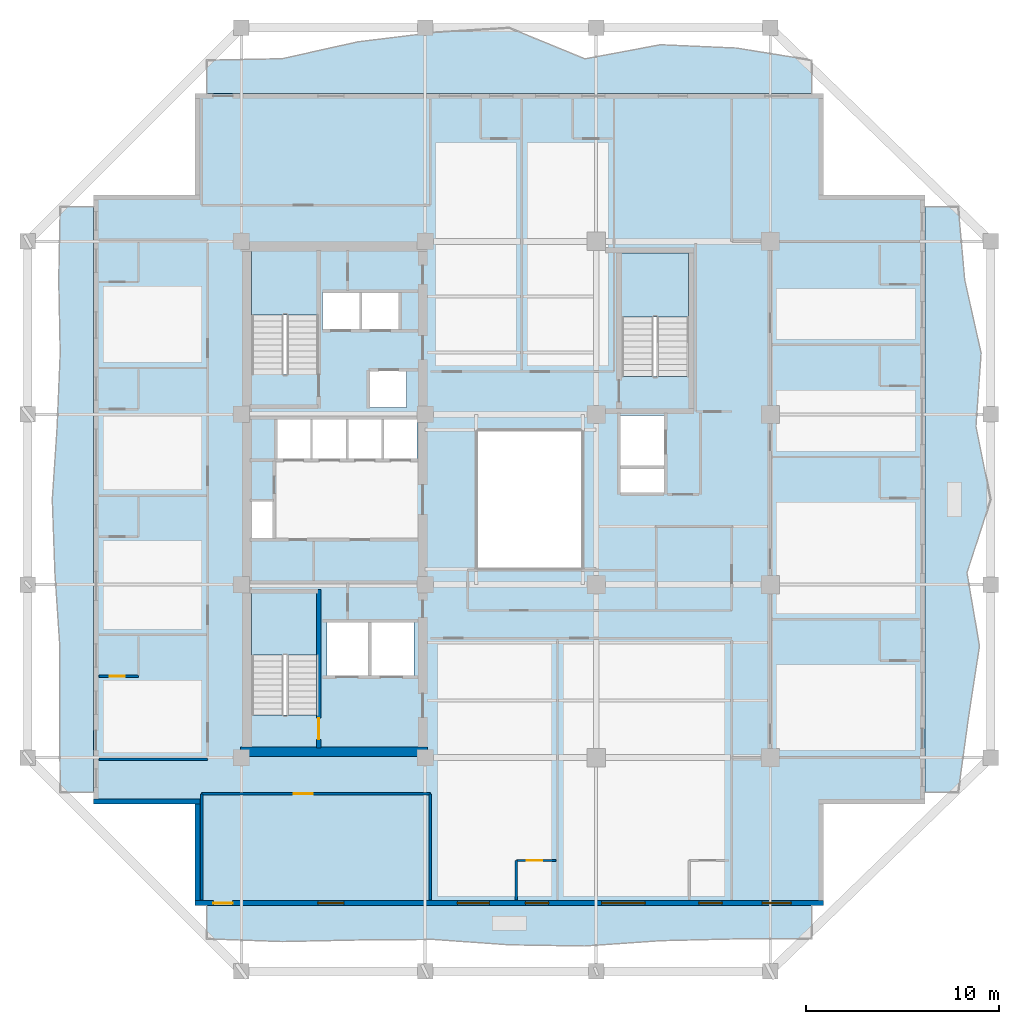
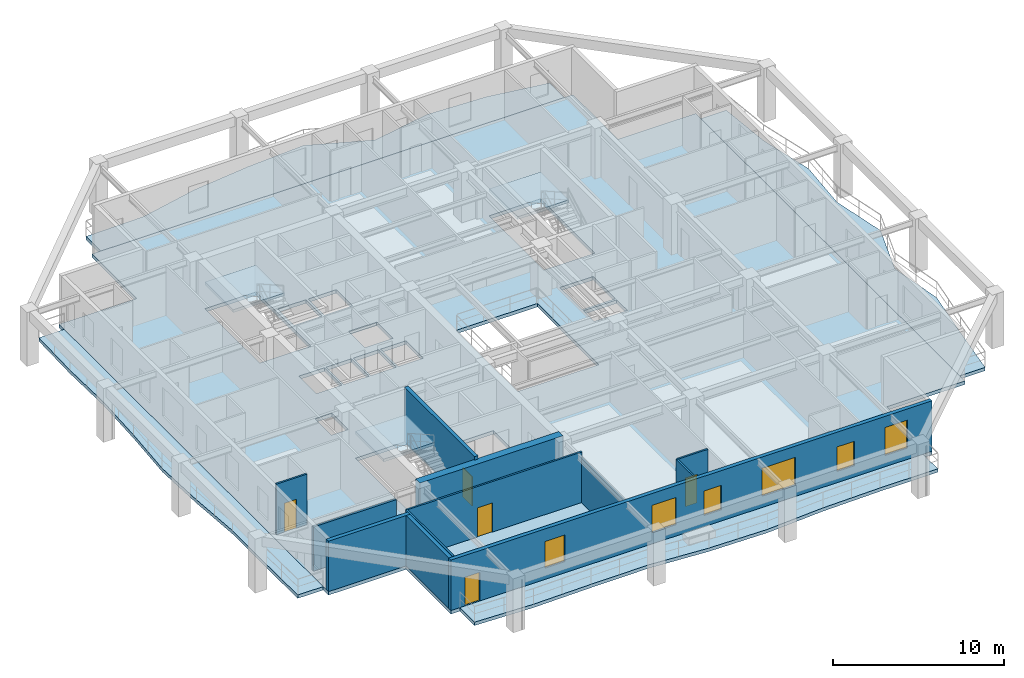
# One storey, part 2 of 13: 12 walls, 8 slabs, 6 windows, 5 doors, 11 openings, 3 elements without a shape of their own.
"""IFC4 building model written with IfcOpenShell, lengths in metres."""

from ifc_helpers import new_model, si_unit, direction, frame, frame_2d, origin, place, context, subcontext, project, spatial, polyline, rectangle, outline, extrude, material, layer, layer_set, type_object, element, fill, aggregate, save


model = new_model("IFC4")

# Units and contexts
model_context = context("Model", 3, precision=1e-05, world=origin(), true_north=direction((0.0, 1.0)))
body_context = subcontext(model_context, "Body", "Model", "MODEL_VIEW")
ifc_project = project(units=[si_unit("LENGTHUNIT", "METRE"), si_unit("AREAUNIT", "SQUARE_METRE"), si_unit("VOLUMEUNIT", "CUBIC_METRE"), si_unit("PLANEANGLEUNIT", "RADIAN"), si_unit("MASSUNIT", "GRAM", prefix="KILO")], contexts=[model_context])

# Site, building, storey
site_placement = place(None, origin())
site = spatial("IfcSite", under=ifc_project, at=site_placement, CompositionType="ELEMENT")
building_placement = place(site_placement, origin())
building = spatial("IfcBuilding", under=site, at=building_placement, Name="Kundavana Baori Tower", CompositionType="ELEMENT")
storey_placement = place(building_placement, frame((0.0, 0.0, 169.449951171875)))
storey = spatial("IfcBuildingStorey", under=building, at=storey_placement, Name="L41", CompositionType="ELEMENT", Elevation=169.449951171875)

# Slab
ifc_material_1 = material(Name="Concrete C40/50", Category="concrete")
ifc_layer_1 = layer(ifc_material_1, 0.25, Name="SLB-FLR-250")
ifc_layer_set_1 = layer_set([ifc_layer_1], Name="Concrete C40/50")
slab_type_1 = type_object("IfcSlabType", Name="SLB-FLR-250", PredefinedType="FLOOR", material=ifc_layer_set_1)
slab_1_placement = place(storey_placement, frame((0.0, 0.0, -0.25)))
element("IfcSlab", 1, at=slab_1_placement, inside=storey, type_object=slab_type_1, Name="L41 Structural Floor Slab", PredefinedType="FLOOR", context=body_context, shape_type="SweptSolid", body=[
    extrude(outline(polyline([(13.050048828125, 7.60009765625), (45.550048828125, 7.60009765625), (45.550048828125, 12.85009765625), (50.800048828125, 12.85009765625), (50.800048828125, 44.35009765625), (45.550048828125, 44.35009765625), (45.550048828125, 49.60009765625), (13.050048828125, 49.60009765625), (13.050048828125, 44.35009765625), (7.800048828125, 44.35009765625), (7.800048828125, 12.85009765625), (13.050048828125, 12.85009765625), (13.050048828125, 7.60009765625)]), holes=[polyline([(19.43994140625, 17.4619140625), (19.43994140625, 23.85009765625), (15.97998046875, 23.85009765625), (15.97998046875, 17.4619140625), (19.43994140625, 17.4619140625)]), polyline([(19.43994140625, 35.06201171875), (19.43994140625, 41.449951171875), (15.97998046875, 41.449951171875), (15.97998046875, 35.06201171875), (19.43994140625, 35.06201171875)]), polyline([(38.580078125, 34.9619140625), (38.580078125, 41.35009765625), (35.1201171875, 41.35009765625), (35.1201171875, 34.9619140625), (38.580078125, 34.9619140625)]), polyline([(17.300048828125, 30.699951171875), (19.02001953125, 30.699951171875), (19.02001953125, 32.75), (17.300048828125, 32.75), (17.300048828125, 30.699951171875)]), polyline([(19.139892578125, 30.699951171875), (20.860107421875, 30.699951171875), (20.860107421875, 32.75), (19.139892578125, 32.75), (19.139892578125, 30.699951171875)]), polyline([(20.97998046875, 30.699951171875), (22.699951171875, 30.699951171875), (22.699951171875, 32.75), (20.97998046875, 32.75), (20.97998046875, 30.699951171875)]), polyline([(22.820068359375, 30.699951171875), (24.5400390625, 30.699951171875), (24.5400390625, 32.75), (22.820068359375, 32.75), (22.820068359375, 30.699951171875)]), polyline([(19.64990234375, 37.39990234375), (21.550048828125, 37.39990234375), (21.550048828125, 39.300048828125), (19.64990234375, 39.300048828125), (19.64990234375, 37.39990234375)]), polyline([(21.699951171875, 37.39990234375), (23.60009765625, 37.39990234375), (23.60009765625, 39.300048828125), (21.699951171875, 39.300048828125), (21.699951171875, 37.39990234375)]), polyline([(22.10009765625, 33.35009765625), (24.0, 33.35009765625), (24.0, 35.25), (22.10009765625, 35.25), (22.10009765625, 33.35009765625)]), polyline([(19.8798828125, 19.5), (22.02001953125, 19.5), (22.02001953125, 22.25), (19.8798828125, 22.25), (19.8798828125, 19.5)]), polyline([(22.179931640625, 19.5), (24.3798828125, 19.5), (24.3798828125, 22.25), (22.179931640625, 22.25), (22.179931640625, 19.5)]), polyline([(35.050048828125, 30.35009765625), (37.300048828125, 30.35009765625), (37.300048828125, 32.949951171875), (35.050048828125, 32.949951171875), (35.050048828125, 30.35009765625)]), polyline([(15.949951171875, 26.60009765625), (17.080078125, 26.60009765625), (17.080078125, 28.5), (15.949951171875, 28.5), (15.949951171875, 26.60009765625)]), polyline([(35.050048828125, 28.949951171875), (37.300048828125, 28.949951171875), (37.300048828125, 30.199951171875), (35.050048828125, 30.199951171875), (35.050048828125, 28.949951171875)]), polyline([(27.60009765625, 25.0), (33.10009765625, 25.0), (33.10009765625, 32.199951171875), (27.60009765625, 32.199951171875), (27.60009765625, 25.0)])]), origin(), (0.0, 0.0, 1.0), 0.25),
])

# Stair, slab
ifc_material_2 = material(Name="Concrete C40/50", Category="concrete")
stair_type = type_object("IfcStairType", Name="STR-DOG-1650", PredefinedType="HALF_TURN_STAIR", material=ifc_material_2)
stair_1_placement = place(storey_placement, origin())
stair_1 = element("IfcStair", 2, at=stair_1_placement, inside=storey, type_object=stair_type, Name="L41 Protected Exit Stair ST1", PredefinedType="HALF_TURN_STAIR")
ifc_material_3 = material(Name="Concrete C40/50", Category="concrete")
ifc_layer_2 = layer(ifc_material_3, 0.199951171875, Name="SLB-LND-200")
ifc_layer_set_2 = layer_set([ifc_layer_2], Name="Concrete C40/50")
slab_type_2 = type_object("IfcSlabType", Name="SLB-LND-200", PredefinedType="LANDING", material=ifc_layer_set_2)
slab_2_placement = place(storey_placement, frame((0.0, 0.0, 1.72509765625)))
slab_2 = element("IfcSlab", 3, at=slab_2_placement, type_object=slab_type_2, Name="ST1 landing 1", PredefinedType="LANDING", context=body_context, shape_type="SweptSolid", body=[
    extrude(outline(polyline([(19.43994140625, 20.550048828125), (19.43994140625, 23.85009765625), (15.97998046875, 23.85009765625), (15.97998046875, 20.550048828125), (19.43994140625, 20.550048828125)])), origin(), (0.0, 0.0, 1.0), 0.199951171875),
])
aggregate(stair_1, [slab_2])

stair_2_placement = place(storey_placement, origin())
stair_2 = element("IfcStair", 4, at=stair_2_placement, inside=storey, type_object=stair_type, Name="L41 Protected Exit Stair ST2", PredefinedType="HALF_TURN_STAIR")
slab_3_placement = place(storey_placement, frame((0.0, 0.0, 1.72509765625)))
slab_3 = element("IfcSlab", 5, at=slab_3_placement, type_object=slab_type_2, Name="ST2 landing 1", PredefinedType="LANDING", context=body_context, shape_type="SweptSolid", body=[
    extrude(outline(polyline([(19.43994140625, 38.14990234375), (19.43994140625, 41.449951171875), (15.97998046875, 41.449951171875), (15.97998046875, 38.14990234375), (19.43994140625, 38.14990234375)])), origin(), (0.0, 0.0, 1.0), 0.199951171875),
])
aggregate(stair_2, [slab_3])

stair_3_placement = place(storey_placement, origin())
stair_3 = element("IfcStair", 6, at=stair_3_placement, inside=storey, type_object=stair_type, Name="L41 Protected Exit Stair ST3", PredefinedType="HALF_TURN_STAIR")
slab_4_placement = place(storey_placement, frame((0.0, 0.0, 1.72509765625)))
slab_4 = element("IfcSlab", 7, at=slab_4_placement, type_object=slab_type_2, Name="ST3 landing 1", PredefinedType="LANDING", context=body_context, shape_type="SweptSolid", body=[
    extrude(outline(polyline([(38.580078125, 38.050048828125), (38.580078125, 41.35009765625), (35.1201171875, 41.35009765625), (35.1201171875, 38.050048828125), (38.580078125, 38.050048828125)])), origin(), (0.0, 0.0, 1.0), 0.199951171875),
])
aggregate(stair_3, [slab_4])

# Slabs
ifc_material_4 = material(Name="Concrete C40/50", Category="concrete")
ifc_layer_3 = layer(ifc_material_4, 0.239990234375, Name="SLB-LOG-240")
ifc_layer_set_3 = layer_set([ifc_layer_3], Name="Concrete C40/50")
slab_type_3 = type_object("IfcSlabType", Name="SLB-LOG-240", PredefinedType="FLOOR", material=ifc_layer_set_3)
slab_5_placement = place(storey_placement, frame((0.0, 0.0, -0.239990234375)))
element("IfcSlab", 8, at=slab_5_placement, inside=storey, type_object=slab_type_3, Name="L41 Planted Loggia Balcony Slab S", PredefinedType="FLOOR", context=body_context, shape_type="SweptSolid", body=[
    extrude(outline(polyline([(13.64990234375, 7.60009765625), (44.949951171875, 7.60009765625), (44.949951171875, 5.8798828125), (41.0380859375, 5.876953125), (37.125, 5.782958984375), (33.212890625, 5.509033203125), (29.300048828125, 5.570068359375), (25.387939453125, 5.84912109375), (21.47509765625, 5.820068359375), (17.56201171875, 5.739013671875), (13.64990234375, 5.8798828125), (13.64990234375, 7.60009765625)])), origin(), (0.0, 0.0, 1.0), 0.239990234375),
])
slab_6_placement = place(storey_placement, frame((0.0, 0.0, -0.239990234375)))
element("IfcSlab", 9, at=slab_6_placement, inside=storey, type_object=slab_type_3, Name="L41 Planted Loggia Balcony Slab E", PredefinedType="FLOOR", context=body_context, shape_type="SweptSolid", body=[
    extrude(outline(polyline([(50.800048828125, 13.449951171875), (50.800048828125, 43.75), (52.52001953125, 43.75), (52.85791015625, 39.9619140625), (53.70703125, 36.175048828125), (53.43994140625, 32.387939453125), (54.199951171875, 28.60009765625), (52.97509765625, 24.81201171875), (53.6220703125, 21.02490234375), (53.0400390625, 17.238037109375), (52.52001953125, 13.449951171875), (50.800048828125, 13.449951171875)])), origin(), (0.0, 0.0, 1.0), 0.239990234375),
])
slab_7_placement = place(storey_placement, frame((0.0, 0.0, -0.239990234375)))
element("IfcSlab", 10, at=slab_7_placement, inside=storey, type_object=slab_type_3, Name="L41 Planted Loggia Balcony Slab N", PredefinedType="FLOOR", context=body_context, shape_type="SweptSolid", body=[
    extrude(outline(polyline([(44.949951171875, 49.60009765625), (13.64990234375, 49.60009765625), (13.64990234375, 51.320068359375), (17.56201171875, 51.39794921875), (21.47509765625, 52.27001953125), (25.387939453125, 52.7490234375), (29.300048828125, 53.0), (33.212890625, 51.388916015625), (37.125, 52.1201171875), (41.0380859375, 51.949951171875), (44.949951171875, 51.320068359375), (44.949951171875, 49.60009765625)])), origin(), (0.0, 0.0, 1.0), 0.239990234375),
])
slab_8_placement = place(storey_placement, frame((0.0, 0.0, -0.239990234375)))
element("IfcSlab", 11, at=slab_8_placement, inside=storey, type_object=slab_type_3, Name="L41 Planted Loggia Balcony Slab W", PredefinedType="FLOOR", context=body_context, shape_type="SweptSolid", body=[
    extrude(outline(polyline([(7.800048828125, 43.75), (7.800048828125, 13.449951171875), (6.080078125, 13.449951171875), (6.049072265625, 17.238037109375), (6.05810546875, 21.02490234375), (5.805908203125, 24.81201171875), (5.669921875, 28.60009765625), (5.922119140625, 32.387939453125), (6.080078125, 36.175048828125), (6.00390625, 39.9619140625), (6.080078125, 43.75), (7.800048828125, 43.75)])), origin(), (0.0, 0.0, 1.0), 0.239990234375),
])

# Wall, opening, door
ifc_material_5 = material(Name="Concrete C50/60", Category="concrete")
ifc_layer_4 = layer(ifc_material_5, 0.39990234375, Name="WL-CORE-400")
ifc_layer_set_4 = layer_set([ifc_layer_4], Name="Concrete C50/60")
wall_type_1 = type_object("IfcWallType", Name="WL-CORE-400", PredefinedType="SHEAR", material=ifc_layer_set_4)
wall_1_placement = place(storey_placement, frame((19.4599609375, 15.739990234375, 0.0), z_axis=(0.0, 0.0, 1.0), x_axis=(0.0, 1.0, 0.0)))
wall_1 = element("IfcWall", 12, at=wall_1_placement, inside=storey, type_object=wall_type_1, Name="WL-L41-ST1-E", PredefinedType="SHEAR", context=body_context, shape_type="SweptSolid", body=[
    extrude(rectangle(XDim=8.199951171875, YDim=0.239990234375, at=frame_2d((4.10009765625, 0.0))), origin(), (0.0, 0.0, 1.0), 3.85009765625),
])
opening_1_placement = place(wall_1_placement, frame((0.449951171875, 0.0, 0.0)))
opening_1 = element("IfcOpeningElement", 13, at=opening_1_placement, cuts=wall_1, Name="Opening FD-110", PredefinedType="OPENING", context=body_context, shape_type="SweptSolid", body=[
    extrude(rectangle(XDim=1.10009765625, YDim=2.10009765625, at=frame_2d((0.550048828125, 1.050048828125))), frame((0.0, 0.1298828125, 0.0), z_axis=(0.0, -1.0, 0.0), x_axis=(1.0, 0.0, 0.0)), (0.0, 0.0, 1.0), 0.260009765625),
])
ifc_material_6 = material(Name="Galvanised Steel Fire-Rated Door Leaf", Category="steel")
door_type_1 = type_object("IfcDoorType", Name="DR-FD120-1100", OperationType="NOTDEFINED", PredefinedType="DOOR", material=ifc_material_6)
door_1_placement = place(opening_1_placement, origin())
door_1 = element("IfcDoor", 14, at=door_1_placement, inside=storey, type_object=door_type_1, Name="DR-L41-ST1", OperationType="SINGLE_SWING_LEFT", OverallHeight=2.10009765625, OverallWidth=1.10009765625, PredefinedType="DOOR", context=body_context, shape_type="SweptSolid", body=[
    extrude(rectangle(XDim=1.10009765625, YDim=2.10009765625, at=frame_2d((0.550048828125, 1.050048828125))), frame((0.0, 0.02490234375, 0.0), z_axis=(0.0, -1.0, 0.0), x_axis=(1.0, 0.0, 0.0)), (0.0, 0.0, 1.0), 0.050048828125),
])
fill(opening_1, door_1)

# Wall
ifc_material_7 = material(Name="Concrete C50/60", Category="concrete")
ifc_layer_5 = layer(ifc_material_7, 0.5, Name="WL-CORE-500")
ifc_layer_set_5 = layer_set([ifc_layer_5], Name="Concrete C50/60")
wall_type_2 = type_object("IfcWallType", Name="WL-CORE-500", PredefinedType="SHEAR", material=ifc_layer_set_5)
wall_2_placement = place(storey_placement, frame((15.39990234375, 15.56005859375, 0.0), z_axis=(0.0, 0.0, 1.0), x_axis=(1.0, 0.0, 0.0)))
element("IfcWall", 15, at=wall_2_placement, inside=storey, type_object=wall_type_2, Name="L41 Offset Core South Shear Wall", PredefinedType="SHEAR", context=body_context, shape_type="SweptSolid", body=[
    extrude(rectangle(XDim=9.68017578125, YDim=0.5, at=frame_2d((4.840087890625, 0.0))), origin(), (0.0, 0.0, 1.0), 3.60009765625),
])

# Wall, openings, door, windows
ifc_material_8 = material(Name="Kiln-Fired Terracotta Brick-Slip Masonry on Concrete C40/50", Category="masonry")
ifc_layer_6 = layer(ifc_material_8, 0.260009765625, Name="WL-EXT-BRK-260")
ifc_layer_set_6 = layer_set([ifc_layer_6], Name="Kiln-Fired Terracotta Brick-Slip Masonry on Concrete C40/50")
wall_type_3 = type_object("IfcWallType", Name="WL-EXT-BRK-260", PredefinedType="SOLIDWALL", material=ifc_layer_set_6)
wall_3_placement = place(storey_placement, frame((13.050048828125, 7.72998046875, 0.0), z_axis=(0.0, 0.0, 1.0), x_axis=(1.0, 0.0, 0.0)))
wall_3 = element("IfcWall", 16, at=wall_3_placement, inside=storey, type_object=wall_type_3, Name="L41 Exterior Insulated Facade Wall 01", PredefinedType="SOLIDWALL", context=body_context, shape_type="SweptSolid", body=[
    extrude(rectangle(XDim=32.5, YDim=0.260009765625, at=frame_2d((16.25, 0.0))), origin(), (0.0, 0.0, 1.0), 3.60009765625),
])
opening_2_placement = place(wall_3_placement, frame((0.949951171875, 0.0, 0.0)))
opening_2 = element("IfcOpeningElement", 17, at=opening_2_placement, cuts=wall_3, Name="Opening BD-1", PredefinedType="OPENING", context=body_context, shape_type="SweptSolid", body=[
    extrude(rectangle(XDim=1.0, YDim=2.050048828125, at=frame_2d((0.5, 1.02490234375))), frame((0.0, 0.14013671875, 0.0), z_axis=(0.0, -1.0, 0.0), x_axis=(1.0, 0.0, 0.0)), (0.0, 0.0, 1.0), 0.280029296875),
])
opening_3_placement = place(wall_3_placement, frame((6.35498046875, 0.0, 0.800048828125)))
opening_3 = element("IfcOpeningElement", 18, at=opening_3_placement, cuts=wall_3, Name="Opening W-07", PredefinedType="OPENING", context=body_context, shape_type="SweptSolid", body=[
    extrude(rectangle(XDim=1.35009765625, YDim=1.89990234375, at=frame_2d((0.675048828125, 0.949951171875))), frame((0.0, 0.14013671875, 0.0), z_axis=(0.0, -1.0, 0.0), x_axis=(1.0, 0.0, 0.0)), (0.0, 0.0, 1.0), 0.280029296875),
])
opening_4_placement = place(wall_3_placement, frame((13.570068359375, 0.0, 0.800048828125)))
opening_4 = element("IfcOpeningElement", 19, at=opening_4_placement, cuts=wall_3, Name="Opening W-08", PredefinedType="OPENING", context=body_context, shape_type="SweptSolid", body=[
    extrude(rectangle(XDim=1.64990234375, YDim=1.949951171875, at=frame_2d((0.824951171875, 0.97509765625))), frame((0.0, 0.14013671875, 0.0), z_axis=(0.0, -1.0, 0.0), x_axis=(1.0, 0.0, 0.0)), (0.0, 0.0, 1.0), 0.280029296875),
])
opening_5_placement = place(wall_3_placement, frame((17.0849609375, 0.0, 0.800048828125)))
opening_5 = element("IfcOpeningElement", 20, at=opening_5_placement, cuts=wall_3, Name="Opening W-03", PredefinedType="OPENING", context=body_context, shape_type="SweptSolid", body=[
    extrude(rectangle(XDim=1.199951171875, YDim=1.75, at=frame_2d((0.60009765625, 0.875))), frame((0.0, 0.14013671875, 0.0), z_axis=(0.0, -1.0, 0.0), x_axis=(1.0, 0.0, 0.0)), (0.0, 0.0, 1.0), 0.280029296875),
])
opening_6_placement = place(wall_3_placement, frame((21.030029296875, 0.0, 0.800048828125)))
opening_6 = element("IfcOpeningElement", 21, at=opening_6_placement, cuts=wall_3, Name="Opening W-10", PredefinedType="OPENING", context=body_context, shape_type="SweptSolid", body=[
    extrude(rectangle(XDim=2.25, YDim=2.0, at=frame_2d((1.125, 1.0))), frame((0.0, 0.14013671875, 0.0), z_axis=(0.0, -1.0, 0.0), x_axis=(1.0, 0.0, 0.0)), (0.0, 0.0, 1.0), 0.280029296875),
])
opening_7_placement = place(wall_3_placement, frame((26.06494140625, 0.0, 0.800048828125)))
opening_7 = element("IfcOpeningElement", 22, at=opening_7_placement, cuts=wall_3, Name="Opening W-03", PredefinedType="OPENING", context=body_context, shape_type="SweptSolid", body=[
    extrude(rectangle(XDim=1.199951171875, YDim=1.75, at=frame_2d((0.60009765625, 0.875))), frame((0.0, 0.14013671875, 0.0), z_axis=(0.0, -1.0, 0.0), x_axis=(1.0, 0.0, 0.0)), (0.0, 0.0, 1.0), 0.280029296875),
])
opening_8_placement = place(wall_3_placement, frame((29.330078125, 0.0, 0.800048828125)))
opening_8 = element("IfcOpeningElement", 23, at=opening_8_placement, cuts=wall_3, Name="Opening W-02", PredefinedType="OPENING", context=body_context, shape_type="SweptSolid", body=[
    extrude(rectangle(XDim=1.5, YDim=2.0, at=frame_2d((0.75, 1.0))), frame((0.0, 0.14013671875, 0.0), z_axis=(0.0, -1.0, 0.0), x_axis=(1.0, 0.0, 0.0)), (0.0, 0.0, 1.0), 0.280029296875),
])
ifc_material_9 = material(Name="Architectural Patinated Bronze Metalwork")
door_type_2 = type_object("IfcDoorType", Name="DR-EXT-LOG-1000", OperationType="NOTDEFINED", PredefinedType="DOOR", material=ifc_material_9)
door_2_placement = place(opening_2_placement, frame((1.0, 0.0, 0.0), z_axis=(0.0, 0.0, 1.0), x_axis=(-1.0, 0.0, 0.0)))
door_2 = element("IfcDoor", 24, at=door_2_placement, inside=storey, type_object=door_type_2, Name="L41 Loggia Balcony Access Door S", OperationType="SINGLE_SWING_LEFT", OverallHeight=2.050048828125, OverallWidth=1.0, PredefinedType="DOOR", context=body_context, shape_type="SweptSolid", body=[
    extrude(rectangle(XDim=1.0, YDim=2.050048828125, at=frame_2d((0.5, 1.02490234375))), frame((0.0, 0.02490234375, 0.0), z_axis=(0.0, -1.0, 0.0), x_axis=(1.0, 0.0, 0.0)), (0.0, 0.0, 1.0), 0.050048828125),
])
fill(opening_2, door_2)
ifc_material_10 = material(Name="Double-Glazed Solar-Control Low-E Insulated Glass", Category="glass")
window_type_1 = type_object("IfcWindowType", Name="WIN-LOG-1200x1750", PartitioningType="SINGLE_PANEL", PredefinedType="WINDOW", material=ifc_material_10)
window_1_placement = place(opening_5_placement, origin())
window_1 = element("IfcWindow", 25, at=window_1_placement, inside=storey, type_object=window_type_1, Name="L41 Recessed Loggia Window S-3", OverallHeight=1.75, OverallWidth=1.199951171875, PartitioningType="SINGLE_PANEL", PredefinedType="WINDOW", context=body_context, shape_type="SweptSolid", body=[
    extrude(rectangle(XDim=1.199951171875, YDim=1.75, at=frame_2d((0.60009765625, 0.875))), frame((0.0, 0.030029296875, 0.0), z_axis=(0.0, -1.0, 0.0), x_axis=(1.0, 0.0, 0.0)), (0.0, 0.0, 1.0), 0.06005859375),
])
fill(opening_5, window_1)
window_2_placement = place(opening_7_placement, origin())
window_2 = element("IfcWindow", 26, at=window_2_placement, inside=storey, type_object=window_type_1, Name="L41 Recessed Loggia Window S-5", OverallHeight=1.75, OverallWidth=1.199951171875, PartitioningType="SINGLE_PANEL", PredefinedType="WINDOW", context=body_context, shape_type="SweptSolid", body=[
    extrude(rectangle(XDim=1.199951171875, YDim=1.75, at=frame_2d((0.60009765625, 0.875))), frame((0.0, 0.030029296875, 0.0), z_axis=(0.0, -1.0, 0.0), x_axis=(1.0, 0.0, 0.0)), (0.0, 0.0, 1.0), 0.06005859375),
])
fill(opening_7, window_2)
ifc_material_11 = material(Name="Double-Glazed Solar-Control Low-E Insulated Glass", Category="glass")
window_type_2 = type_object("IfcWindowType", Name="WIN-LOG-1350x1900", PartitioningType="SINGLE_PANEL", PredefinedType="WINDOW", material=ifc_material_11)
window_3_placement = place(opening_3_placement, origin())
window_3 = element("IfcWindow", 27, at=window_3_placement, inside=storey, type_object=window_type_2, Name="L41 Recessed Loggia Window S-1", OverallHeight=1.89990234375, OverallWidth=1.35009765625, PartitioningType="SINGLE_PANEL", PredefinedType="WINDOW", context=body_context, shape_type="SweptSolid", body=[
    extrude(rectangle(XDim=1.35009765625, YDim=1.89990234375, at=frame_2d((0.675048828125, 0.949951171875))), frame((0.0, 0.030029296875, 0.0), z_axis=(0.0, -1.0, 0.0), x_axis=(1.0, 0.0, 0.0)), (0.0, 0.0, 1.0), 0.06005859375),
])
fill(opening_3, window_3)
ifc_material_12 = material(Name="Double-Glazed Solar-Control Low-E Insulated Glass", Category="glass")
window_type_3 = type_object("IfcWindowType", Name="WIN-LOG-1500x2000", PartitioningType="SINGLE_PANEL", PredefinedType="WINDOW", material=ifc_material_12)
window_4_placement = place(opening_8_placement, origin())
window_4 = element("IfcWindow", 28, at=window_4_placement, inside=storey, type_object=window_type_3, Name="L41 Recessed Loggia Window S-6", OverallHeight=2.0, OverallWidth=1.5, PartitioningType="SINGLE_PANEL", PredefinedType="WINDOW", context=body_context, shape_type="SweptSolid", body=[
    extrude(rectangle(XDim=1.5, YDim=2.0, at=frame_2d((0.75, 1.0))), frame((0.0, 0.030029296875, 0.0), z_axis=(0.0, -1.0, 0.0), x_axis=(1.0, 0.0, 0.0)), (0.0, 0.0, 1.0), 0.06005859375),
])
fill(opening_8, window_4)
ifc_material_13 = material(Name="Double-Glazed Solar-Control Low-E Insulated Glass", Category="glass")
window_type_4 = type_object("IfcWindowType", Name="WIN-LOG-1650x1950", PartitioningType="SINGLE_PANEL", PredefinedType="WINDOW", material=ifc_material_13)
window_5_placement = place(opening_4_placement, origin())
window_5 = element("IfcWindow", 29, at=window_5_placement, inside=storey, type_object=window_type_4, Name="L41 Recessed Loggia Window S-2", OverallHeight=1.949951171875, OverallWidth=1.64990234375, PartitioningType="SINGLE_PANEL", PredefinedType="WINDOW", context=body_context, shape_type="SweptSolid", body=[
    extrude(rectangle(XDim=1.64990234375, YDim=1.949951171875, at=frame_2d((0.824951171875, 0.97509765625))), frame((0.0, 0.030029296875, 0.0), z_axis=(0.0, -1.0, 0.0), x_axis=(1.0, 0.0, 0.0)), (0.0, 0.0, 1.0), 0.06005859375),
])
fill(opening_4, window_5)
ifc_material_14 = material(Name="Double-Glazed Solar-Control Low-E Insulated Glass", Category="glass")
window_type_5 = type_object("IfcWindowType", Name="WIN-LOG-2250x2000", PartitioningType="SINGLE_PANEL", PredefinedType="WINDOW", material=ifc_material_14)
window_6_placement = place(opening_6_placement, origin())
window_6 = element("IfcWindow", 30, at=window_6_placement, inside=storey, type_object=window_type_5, Name="L41 Recessed Loggia Window S-4", OverallHeight=2.0, OverallWidth=2.25, PartitioningType="SINGLE_PANEL", PredefinedType="WINDOW", context=body_context, shape_type="SweptSolid", body=[
    extrude(rectangle(XDim=2.25, YDim=2.0, at=frame_2d((1.125, 1.0))), frame((0.0, 0.030029296875, 0.0), z_axis=(0.0, -1.0, 0.0), x_axis=(1.0, 0.0, 0.0)), (0.0, 0.0, 1.0), 0.06005859375),
])
fill(opening_6, window_6)

# Walls
wall_4_placement = place(storey_placement, frame((7.800048828125, 12.97998046875, 0.0), z_axis=(0.0, 0.0, 1.0), x_axis=(1.0, 0.0, 0.0)))
element("IfcWall", 31, at=wall_4_placement, inside=storey, type_object=wall_type_3, Name="L41 Exterior Insulated Facade Wall 11", PredefinedType="SOLIDWALL", context=body_context, shape_type="SweptSolid", body=[
    extrude(rectangle(XDim=5.510009765625, YDim=0.260009765625, at=frame_2d((2.7548828125, 0.0))), origin(), (0.0, 0.0, 1.0), 3.60009765625),
])
wall_5_placement = place(storey_placement, frame((13.179931640625, 12.85009765625, 0.0), z_axis=(0.0, 0.0, 1.0), x_axis=(0.0, -1.0, 0.0)))
element("IfcWall", 32, at=wall_5_placement, inside=storey, type_object=wall_type_3, Name="L41 Exterior Insulated Facade Wall 12", PredefinedType="SOLIDWALL", context=body_context, shape_type="SweptSolid", body=[
    extrude(rectangle(XDim=4.989990234375, YDim=0.260009765625, at=frame_2d((2.4951171875, 0.0))), origin(), (0.0, 0.0, 1.0), 3.60009765625),
])
ifc_material_15 = material(Name="Autoclaved Aerated Concrete Blockwork Masonry", Category="masonry")
ifc_layer_7 = layer(ifc_material_15, 0.125, Name="WL-WET-120")
ifc_layer_set_7 = layer_set([ifc_layer_7], Name="Autoclaved Aerated Concrete Blockwork Masonry")
wall_type_4 = type_object("IfcWallType", Name="WL-WET-120", PredefinedType="PLUMBINGWALL", material=ifc_layer_set_7)
wall_6_placement = place(storey_placement, frame((8.080078125, 15.159912109375, 0.0), z_axis=(0.0, 0.0, 1.0), x_axis=(1.0, 0.0, 0.0)))
element("IfcWall", 33, at=wall_6_placement, inside=storey, type_object=wall_type_4, Name="WL-L41-HWS", PredefinedType="PLUMBINGWALL", context=body_context, shape_type="SweptSolid", body=[
    extrude(rectangle(XDim=5.619873046875, YDim=0.125, at=frame_2d((2.81005859375, 0.0))), origin(), (0.0, 0.0, 1.0), 3.150146484375),
])

# Wall, opening, door
wall_7_placement = place(storey_placement, frame((13.389892578125, 13.3798828125, 0.0), z_axis=(0.0, 0.0, 1.0), x_axis=(1.0, 0.0, 0.0)))
wall_7 = element("IfcWall", 34, at=wall_7_placement, inside=storey, type_object=wall_type_4, Name="WL-L41-HSC", PredefinedType="PLUMBINGWALL", context=body_context, shape_type="SweptSolid", body=[
    extrude(rectangle(XDim=11.830078125, YDim=0.125, at=frame_2d((5.9150390625, 0.0))), origin(), (0.0, 0.0, 1.0), 3.60009765625),
])
opening_9_placement = place(wall_7_placement, frame((4.760009765625, 0.0, 0.0)))
opening_9 = element("IfcOpeningElement", 35, at=opening_9_placement, cuts=wall_7, Name="Opening ID-100", PredefinedType="OPENING", context=body_context, shape_type="SweptSolid", body=[
    extrude(rectangle(XDim=1.0, YDim=2.080078125, at=frame_2d((0.5, 1.0400390625))), frame((0.0, 0.072509765625, 0.0), z_axis=(0.0, -1.0, 0.0), x_axis=(1.0, 0.0, 0.0)), (0.0, 0.0, 1.0), 0.14501953125),
])
ifc_material_16 = material(Name="Engineered Teak Solid-Core Timber Veneer", Category="wood")
door_type_3 = type_object("IfcDoorType", Name="DR-INT-1000", OperationType="NOTDEFINED", PredefinedType="DOOR", material=ifc_material_16)
door_3_placement = place(opening_9_placement, frame((1.0, 0.0, 0.0), z_axis=(0.0, 0.0, 1.0), x_axis=(-1.0, 0.0, 0.0)))
door_3 = element("IfcDoor", 36, at=door_3_placement, inside=storey, type_object=door_type_3, Name="DR-L41-HMSW", OperationType="SINGLE_SWING_LEFT", OverallHeight=2.080078125, OverallWidth=1.0, PredefinedType="DOOR", context=body_context, shape_type="SweptSolid", body=[
    extrude(rectangle(XDim=1.0, YDim=2.080078125, at=frame_2d((0.5, 1.0400390625))), frame((0.0, 0.02490234375, 0.0), z_axis=(0.0, -1.0, 0.0), x_axis=(1.0, 0.0, 0.0)), (0.0, 0.0, 1.0), 0.050048828125),
])
fill(opening_9, door_3)

# Walls
wall_8_placement = place(storey_placement, frame((13.389892578125, 7.8798828125, 0.0), z_axis=(0.0, 0.0, 1.0), x_axis=(0.0, 1.0, 0.0)))
element("IfcWall", 37, at=wall_8_placement, inside=storey, type_object=wall_type_4, Name="WL-L41-HSCW", PredefinedType="PLUMBINGWALL", context=body_context, shape_type="SweptSolid", body=[
    extrude(rectangle(XDim=5.5, YDim=0.125, at=frame_2d((2.75, 0.0))), origin(), (0.0, 0.0, 1.0), 3.60009765625),
])
wall_9_placement = place(storey_placement, frame((25.219970703125, 7.8798828125, 0.0), z_axis=(0.0, 0.0, 1.0), x_axis=(0.0, 1.0, 0.0)))
element("IfcWall", 38, at=wall_9_placement, inside=storey, type_object=wall_type_4, Name="WL-L41-HSCE", PredefinedType="PLUMBINGWALL", context=body_context, shape_type="SweptSolid", body=[
    extrude(rectangle(XDim=5.5, YDim=0.125, at=frame_2d((2.75, 0.0))), origin(), (0.0, 0.0, 1.0), 3.150146484375),
])

# Wall, opening, door
wall_10_placement = place(storey_placement, frame((8.080078125, 19.469970703125, 0.0), z_axis=(0.0, 0.0, 1.0), x_axis=(1.0, 0.0, 0.0)))
wall_10 = element("IfcWall", 39, at=wall_10_placement, inside=storey, type_object=wall_type_4, Name="WL-L41-HK-W1-BS", PredefinedType="PLUMBINGWALL", context=body_context, shape_type="SweptSolid", body=[
    extrude(rectangle(XDim=2.0498046875, YDim=0.125, at=frame_2d((1.02490234375, 0.0))), origin(), (0.0, 0.0, 1.0), 3.60009765625),
])
opening_10_placement = place(wall_10_placement, frame((0.550048828125, 0.0, 0.0)))
opening_10 = element("IfcOpeningElement", 40, at=opening_10_placement, cuts=wall_10, Name="Opening WD-080", PredefinedType="OPENING", context=body_context, shape_type="SweptSolid", body=[
    extrude(rectangle(XDim=0.800048828125, YDim=2.050048828125, at=frame_2d((0.39990234375, 1.02490234375))), frame((0.0, 0.072509765625, 0.0), z_axis=(0.0, -1.0, 0.0), x_axis=(1.0, 0.0, 0.0)), (0.0, 0.0, 1.0), 0.14501953125),
])
ifc_material_17 = material(Name="Engineered Teak Solid-Core Timber Veneer", Category="wood")
door_type_4 = type_object("IfcDoorType", Name="DR-WET-800", OperationType="NOTDEFINED", PredefinedType="DOOR", material=ifc_material_17)
door_4_placement = place(opening_10_placement, frame((0.800048828125, 0.0, 0.0), z_axis=(0.0, 0.0, 1.0), x_axis=(-1.0, 0.0, 0.0)))
door_4 = element("IfcDoor", 41, at=door_4_placement, inside=storey, type_object=door_type_4, Name="DR-L41-HK-W1-ENS", OperationType="SINGLE_SWING_LEFT", OverallHeight=2.050048828125, OverallWidth=0.800048828125, PredefinedType="DOOR", context=body_context, shape_type="SweptSolid", body=[
    extrude(rectangle(XDim=0.800048828125, YDim=2.050048828125, at=frame_2d((0.39990234375, 1.02490234375))), frame((0.0, 0.02490234375, 0.0), z_axis=(0.0, -1.0, 0.0), x_axis=(1.0, 0.0, 0.0)), (0.0, 0.0, 1.0), 0.050048828125),
])
fill(opening_10, door_4)

# Wall
wall_11_placement = place(storey_placement, frame((29.669921875, 7.8798828125, 0.0), z_axis=(0.0, 0.0, 1.0), x_axis=(0.0, 1.0, 0.0)))
element("IfcWall", 42, at=wall_11_placement, inside=storey, type_object=wall_type_4, Name="WL-L41-HK-S1-BW", PredefinedType="PLUMBINGWALL", context=body_context, shape_type="SweptSolid", body=[
    extrude(rectangle(XDim=2.050048828125, YDim=0.125, at=frame_2d((1.02490234375, 0.0))), origin(), (0.0, 0.0, 1.0), 3.60009765625),
])

# Wall, opening, door
wall_12_placement = place(storey_placement, frame((29.669921875, 9.929931640625, 0.0), z_axis=(0.0, 0.0, 1.0), x_axis=(1.0, 0.0, 0.0)))
wall_12 = element("IfcWall", 43, at=wall_12_placement, inside=storey, type_object=wall_type_4, Name="WL-L41-HK-S1-BN", PredefinedType="PLUMBINGWALL", context=body_context, shape_type="SweptSolid", body=[
    extrude(rectangle(XDim=2.050048828125, YDim=0.125, at=frame_2d((1.02490234375, 0.0))), origin(), (0.0, 0.0, 1.0), 3.60009765625),
])
opening_11_placement = place(wall_12_placement, frame((0.550048828125, 0.0, 0.0)))
opening_11 = element("IfcOpeningElement", 44, at=opening_11_placement, cuts=wall_12, Name="Opening WD-080", PredefinedType="OPENING", context=body_context, shape_type="SweptSolid", body=[
    extrude(rectangle(XDim=0.800048828125, YDim=2.050048828125, at=frame_2d((0.39990234375, 1.02490234375))), frame((0.0, 0.072509765625, 0.0), z_axis=(0.0, -1.0, 0.0), x_axis=(1.0, 0.0, 0.0)), (0.0, 0.0, 1.0), 0.14501953125),
])
door_5_placement = place(opening_11_placement, origin())
door_5 = element("IfcDoor", 45, at=door_5_placement, inside=storey, type_object=door_type_4, Name="DR-L41-HK-S1-ENS", OperationType="SINGLE_SWING_LEFT", OverallHeight=2.050048828125, OverallWidth=0.800048828125, PredefinedType="DOOR", context=body_context, shape_type="SweptSolid", body=[
    extrude(rectangle(XDim=0.800048828125, YDim=2.050048828125, at=frame_2d((0.39990234375, 1.02490234375))), frame((0.0, 0.02490234375, 0.0), z_axis=(0.0, -1.0, 0.0), x_axis=(1.0, 0.0, 0.0)), (0.0, 0.0, 1.0), 0.050048828125),
])
fill(opening_11, door_5)

save(model, "model.ifc")
